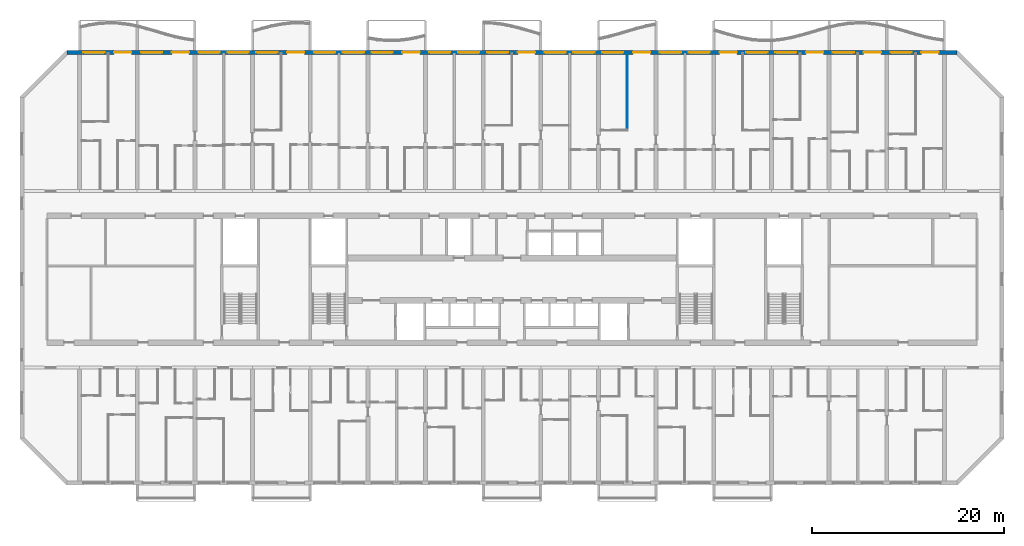
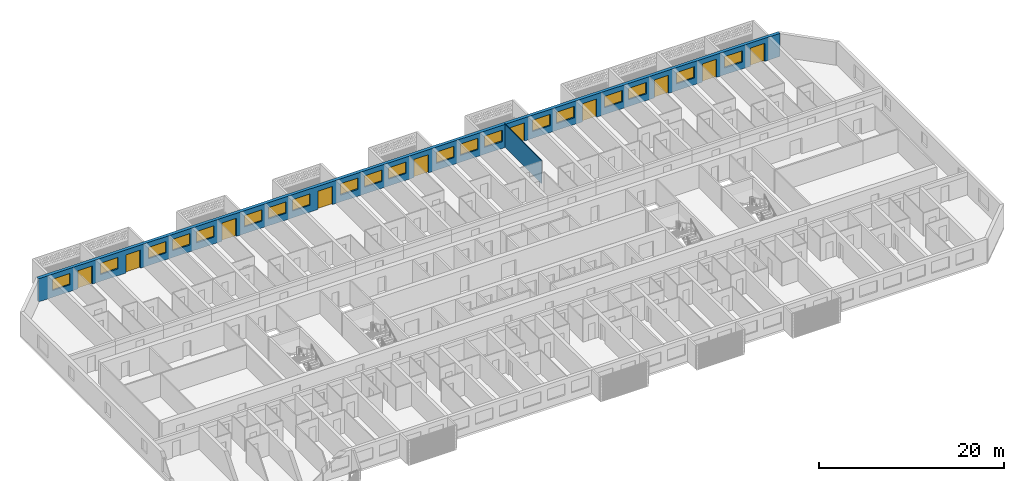
# One storey, part 13 of 40: 20 windows, 10 doors, 2 walls, 30 openings.
"""IFC4 building model written with IfcOpenShell, lengths in metres."""

from ifc_helpers import new_model, si_unit, direction, frame, frame_2d, origin, place, context, subcontext, project, spatial, rectangle, extrude, material, layer, layer_set, type_object, element, fill, save


model = new_model("IFC4")

# Units and contexts
model_context = context("Model", 3, precision=1e-05, world=origin(), true_north=direction((0.0, 1.0)))
body_context = subcontext(model_context, "Body", "Model", "MODEL_VIEW")
ifc_project = project(units=[si_unit("LENGTHUNIT", "METRE"), si_unit("AREAUNIT", "SQUARE_METRE"), si_unit("VOLUMEUNIT", "CUBIC_METRE"), si_unit("PLANEANGLEUNIT", "RADIAN"), si_unit("MASSUNIT", "GRAM", prefix="KILO")], contexts=[model_context])

# Site, building, storey
site_placement = place(None, origin())
site = spatial("IfcSite", under=ifc_project, at=site_placement, CompositionType="ELEMENT")
building_placement = place(site_placement, origin())
building = spatial("IfcBuilding", under=site, at=building_placement, Name="Poui Terraces", CompositionType="ELEMENT")
storey_placement = place(building_placement, frame((0.0, 0.0, 36.60009765625)))
storey = spatial("IfcBuildingStorey", under=building, at=storey_placement, Name="L09", CompositionType="ELEMENT", Elevation=36.60009765625)

# Wall, openings, doors, windows
ifc_material_1 = material(Name="Precast concrete 40 MPa", Category="concrete")
ifc_layer_1 = layer(ifc_material_1, 0.39990234375)
ifc_layer_set_1 = layer_set([ifc_layer_1], Name="Precast concrete 40 MPa")
wall_type_1 = type_object("IfcWallType", Name="EXTERNAL WALL 400", PredefinedType="STANDARD", material=ifc_layer_set_1)
wall_1_placement = place(storey_placement, frame((97.317138671875, 44.800048828125, 0.0), z_axis=(0.0, 0.0, 1.0), x_axis=(-1.0, 0.0, 0.0)))
wall_1 = element("IfcWall", 1, at=wall_1_placement, inside=storey, type_object=wall_type_1, Name="EXTERNAL WALL N", PredefinedType="STANDARD", context=body_context, shape_type="SweptSolid", body=[
    extrude(rectangle(XDim=92.63427734375, YDim=0.39990234375, at=frame_2d((46.317138671875, 0.0))), origin(), (0.0, 0.0, 1.0), 3.0498046875),
])
opening_1_placement = place(wall_1_placement, frame((88.71728515625, 0.0, 0.89990234375)))
opening_1 = element("IfcOpeningElement", 2, at=opening_1_placement, cuts=wall_1, Name="Opening W1", PredefinedType="OPENING", context=body_context, shape_type="SweptSolid", body=[
    extrude(rectangle(XDim=2.199951171875, YDim=1.5, at=frame_2d((1.10009765625, 0.75))), frame((0.0, 0.2099609375, 0.0), z_axis=(0.0, -1.0, 0.0), x_axis=(1.0, 0.0, 0.0)), (0.0, 0.0, 1.0), 0.419921875),
])
opening_2_placement = place(wall_1_placement, frame((85.917236328125, 0.0, 0.0)))
opening_2 = element("IfcOpeningElement", 3, at=opening_2_placement, cuts=wall_1, Name="Opening BD1", PredefinedType="OPENING", context=body_context, shape_type="SweptSolid", body=[
    extrude(rectangle(XDim=1.800048828125, YDim=2.39990234375, at=frame_2d((0.89990234375, 1.199951171875))), frame((0.0, 0.2099609375, 0.0), z_axis=(0.0, -1.0, 0.0), x_axis=(1.0, 0.0, 0.0)), (0.0, 0.0, 1.0), 0.419921875),
])
opening_3_placement = place(wall_1_placement, frame((82.71728515625, 0.0, 0.89990234375)))
opening_3 = element("IfcOpeningElement", 4, at=opening_3_placement, cuts=wall_1, Name="Opening W1", PredefinedType="OPENING", context=body_context, shape_type="SweptSolid", body=[
    extrude(rectangle(XDim=2.199951171875, YDim=1.5, at=frame_2d((1.10009765625, 0.75))), frame((0.0, 0.2099609375, 0.0), z_axis=(0.0, -1.0, 0.0), x_axis=(1.0, 0.0, 0.0)), (0.0, 0.0, 1.0), 0.419921875),
])
opening_4_placement = place(wall_1_placement, frame((79.917236328125, 0.0, 0.0)))
opening_4 = element("IfcOpeningElement", 5, at=opening_4_placement, cuts=wall_1, Name="Opening BD1", PredefinedType="OPENING", context=body_context, shape_type="SweptSolid", body=[
    extrude(rectangle(XDim=1.800048828125, YDim=2.39990234375, at=frame_2d((0.89990234375, 1.199951171875))), frame((0.0, 0.2099609375, 0.0), z_axis=(0.0, -1.0, 0.0), x_axis=(1.0, 0.0, 0.0)), (0.0, 0.0, 1.0), 0.419921875),
])
opening_5_placement = place(wall_1_placement, frame((76.71728515625, 0.0, 0.89990234375)))
opening_5 = element("IfcOpeningElement", 6, at=opening_5_placement, cuts=wall_1, Name="Opening W1", PredefinedType="OPENING", context=body_context, shape_type="SweptSolid", body=[
    extrude(rectangle(XDim=2.199951171875, YDim=1.5, at=frame_2d((1.10009765625, 0.75))), frame((0.0, 0.2099609375, 0.0), z_axis=(0.0, -1.0, 0.0), x_axis=(1.0, 0.0, 0.0)), (0.0, 0.0, 1.0), 0.419921875),
])
opening_6_placement = place(wall_1_placement, frame((73.71728515625, 0.0, 0.89990234375)))
opening_6 = element("IfcOpeningElement", 7, at=opening_6_placement, cuts=wall_1, Name="Opening W1", PredefinedType="OPENING", context=body_context, shape_type="SweptSolid", body=[
    extrude(rectangle(XDim=2.199951171875, YDim=1.5, at=frame_2d((1.10009765625, 0.75))), frame((0.0, 0.2099609375, 0.0), z_axis=(0.0, -1.0, 0.0), x_axis=(1.0, 0.0, 0.0)), (0.0, 0.0, 1.0), 0.419921875),
])
opening_7_placement = place(wall_1_placement, frame((70.71728515625, 0.0, 0.89990234375)))
opening_7 = element("IfcOpeningElement", 8, at=opening_7_placement, cuts=wall_1, Name="Opening W1", PredefinedType="OPENING", context=body_context, shape_type="SweptSolid", body=[
    extrude(rectangle(XDim=2.199951171875, YDim=1.5, at=frame_2d((1.10009765625, 0.75))), frame((0.0, 0.2099609375, 0.0), z_axis=(0.0, -1.0, 0.0), x_axis=(1.0, 0.0, 0.0)), (0.0, 0.0, 1.0), 0.419921875),
])
opening_8_placement = place(wall_1_placement, frame((67.917236328125, 0.0, 0.0)))
opening_8 = element("IfcOpeningElement", 9, at=opening_8_placement, cuts=wall_1, Name="Opening BD1", PredefinedType="OPENING", context=body_context, shape_type="SweptSolid", body=[
    extrude(rectangle(XDim=1.800048828125, YDim=2.39990234375, at=frame_2d((0.89990234375, 1.199951171875))), frame((0.0, 0.2099609375, 0.0), z_axis=(0.0, -1.0, 0.0), x_axis=(1.0, 0.0, 0.0)), (0.0, 0.0, 1.0), 0.419921875),
])
opening_9_placement = place(wall_1_placement, frame((64.71728515625, 0.0, 0.89990234375)))
opening_9 = element("IfcOpeningElement", 10, at=opening_9_placement, cuts=wall_1, Name="Opening W1", PredefinedType="OPENING", context=body_context, shape_type="SweptSolid", body=[
    extrude(rectangle(XDim=2.199951171875, YDim=1.5, at=frame_2d((1.10009765625, 0.75))), frame((0.0, 0.2099609375, 0.0), z_axis=(0.0, -1.0, 0.0), x_axis=(1.0, 0.0, 0.0)), (0.0, 0.0, 1.0), 0.419921875),
])
opening_10_placement = place(wall_1_placement, frame((61.71728515625, 0.0, 0.89990234375)))
opening_10 = element("IfcOpeningElement", 11, at=opening_10_placement, cuts=wall_1, Name="Opening W1", PredefinedType="OPENING", context=body_context, shape_type="SweptSolid", body=[
    extrude(rectangle(XDim=2.199951171875, YDim=1.5, at=frame_2d((1.10009765625, 0.75))), frame((0.0, 0.2099609375, 0.0), z_axis=(0.0, -1.0, 0.0), x_axis=(1.0, 0.0, 0.0)), (0.0, 0.0, 1.0), 0.419921875),
])
opening_11_placement = place(wall_1_placement, frame((58.71728515625, 0.0, 0.89990234375)))
opening_11 = element("IfcOpeningElement", 12, at=opening_11_placement, cuts=wall_1, Name="Opening W1", PredefinedType="OPENING", context=body_context, shape_type="SweptSolid", body=[
    extrude(rectangle(XDim=2.199951171875, YDim=1.5, at=frame_2d((1.10009765625, 0.75))), frame((0.0, 0.2099609375, 0.0), z_axis=(0.0, -1.0, 0.0), x_axis=(1.0, 0.0, 0.0)), (0.0, 0.0, 1.0), 0.419921875),
])
opening_12_placement = place(wall_1_placement, frame((55.917236328125, 0.0, 0.0)))
opening_12 = element("IfcOpeningElement", 13, at=opening_12_placement, cuts=wall_1, Name="Opening BD1", PredefinedType="OPENING", context=body_context, shape_type="SweptSolid", body=[
    extrude(rectangle(XDim=1.800048828125, YDim=2.39990234375, at=frame_2d((0.89990234375, 1.199951171875))), frame((0.0, 0.2099609375, 0.0), z_axis=(0.0, -1.0, 0.0), x_axis=(1.0, 0.0, 0.0)), (0.0, 0.0, 1.0), 0.419921875),
])
opening_13_placement = place(wall_1_placement, frame((52.71728515625, 0.0, 0.89990234375)))
opening_13 = element("IfcOpeningElement", 14, at=opening_13_placement, cuts=wall_1, Name="Opening W1", PredefinedType="OPENING", context=body_context, shape_type="SweptSolid", body=[
    extrude(rectangle(XDim=2.199951171875, YDim=1.5, at=frame_2d((1.10009765625, 0.75))), frame((0.0, 0.2099609375, 0.0), z_axis=(0.0, -1.0, 0.0), x_axis=(1.0, 0.0, 0.0)), (0.0, 0.0, 1.0), 0.419921875),
])
opening_14_placement = place(wall_1_placement, frame((49.71728515625, 0.0, 0.89990234375)))
opening_14 = element("IfcOpeningElement", 15, at=opening_14_placement, cuts=wall_1, Name="Opening W1", PredefinedType="OPENING", context=body_context, shape_type="SweptSolid", body=[
    extrude(rectangle(XDim=2.199951171875, YDim=1.5, at=frame_2d((1.10009765625, 0.75))), frame((0.0, 0.2099609375, 0.0), z_axis=(0.0, -1.0, 0.0), x_axis=(1.0, 0.0, 0.0)), (0.0, 0.0, 1.0), 0.419921875),
])
opening_15_placement = place(wall_1_placement, frame((46.71728515625, 0.0, 0.89990234375)))
opening_15 = element("IfcOpeningElement", 16, at=opening_15_placement, cuts=wall_1, Name="Opening W1", PredefinedType="OPENING", context=body_context, shape_type="SweptSolid", body=[
    extrude(rectangle(XDim=2.199951171875, YDim=1.5, at=frame_2d((1.10009765625, 0.75))), frame((0.0, 0.2099609375, 0.0), z_axis=(0.0, -1.0, 0.0), x_axis=(1.0, 0.0, 0.0)), (0.0, 0.0, 1.0), 0.419921875),
])
opening_16_placement = place(wall_1_placement, frame((43.917236328125, 0.0, 0.0)))
opening_16 = element("IfcOpeningElement", 17, at=opening_16_placement, cuts=wall_1, Name="Opening BD1", PredefinedType="OPENING", context=body_context, shape_type="SweptSolid", body=[
    extrude(rectangle(XDim=1.800048828125, YDim=2.39990234375, at=frame_2d((0.89990234375, 1.199951171875))), frame((0.0, 0.2099609375, 0.0), z_axis=(0.0, -1.0, 0.0), x_axis=(1.0, 0.0, 0.0)), (0.0, 0.0, 1.0), 0.419921875),
])
opening_17_placement = place(wall_1_placement, frame((40.71728515625, 0.0, 0.89990234375)))
opening_17 = element("IfcOpeningElement", 18, at=opening_17_placement, cuts=wall_1, Name="Opening W1", PredefinedType="OPENING", context=body_context, shape_type="SweptSolid", body=[
    extrude(rectangle(XDim=2.199951171875, YDim=1.5, at=frame_2d((1.10009765625, 0.75))), frame((0.0, 0.2099609375, 0.0), z_axis=(0.0, -1.0, 0.0), x_axis=(1.0, 0.0, 0.0)), (0.0, 0.0, 1.0), 0.419921875),
])
opening_18_placement = place(wall_1_placement, frame((37.71728515625, 0.0, 0.89990234375)))
opening_18 = element("IfcOpeningElement", 19, at=opening_18_placement, cuts=wall_1, Name="Opening W1", PredefinedType="OPENING", context=body_context, shape_type="SweptSolid", body=[
    extrude(rectangle(XDim=2.199951171875, YDim=1.5, at=frame_2d((1.10009765625, 0.75))), frame((0.0, 0.2099609375, 0.0), z_axis=(0.0, -1.0, 0.0), x_axis=(1.0, 0.0, 0.0)), (0.0, 0.0, 1.0), 0.419921875),
])
opening_19_placement = place(wall_1_placement, frame((34.71728515625, 0.0, 0.89990234375)))
opening_19 = element("IfcOpeningElement", 20, at=opening_19_placement, cuts=wall_1, Name="Opening W1", PredefinedType="OPENING", context=body_context, shape_type="SweptSolid", body=[
    extrude(rectangle(XDim=2.199951171875, YDim=1.5, at=frame_2d((1.10009765625, 0.75))), frame((0.0, 0.2099609375, 0.0), z_axis=(0.0, -1.0, 0.0), x_axis=(1.0, 0.0, 0.0)), (0.0, 0.0, 1.0), 0.419921875),
])
opening_20_placement = place(wall_1_placement, frame((31.917236328125, 0.0, 0.0)))
opening_20 = element("IfcOpeningElement", 21, at=opening_20_placement, cuts=wall_1, Name="Opening BD1", PredefinedType="OPENING", context=body_context, shape_type="SweptSolid", body=[
    extrude(rectangle(XDim=1.800048828125, YDim=2.39990234375, at=frame_2d((0.89990234375, 1.199951171875))), frame((0.0, 0.2099609375, 0.0), z_axis=(0.0, -1.0, 0.0), x_axis=(1.0, 0.0, 0.0)), (0.0, 0.0, 1.0), 0.419921875),
])
opening_21_placement = place(wall_1_placement, frame((28.71728515625, 0.0, 0.89990234375)))
opening_21 = element("IfcOpeningElement", 22, at=opening_21_placement, cuts=wall_1, Name="Opening W1", PredefinedType="OPENING", context=body_context, shape_type="SweptSolid", body=[
    extrude(rectangle(XDim=2.199951171875, YDim=1.5, at=frame_2d((1.10009765625, 0.75))), frame((0.0, 0.2099609375, 0.0), z_axis=(0.0, -1.0, 0.0), x_axis=(1.0, 0.0, 0.0)), (0.0, 0.0, 1.0), 0.419921875),
])
opening_22_placement = place(wall_1_placement, frame((25.71728515625, 0.0, 0.89990234375)))
opening_22 = element("IfcOpeningElement", 23, at=opening_22_placement, cuts=wall_1, Name="Opening W1", PredefinedType="OPENING", context=body_context, shape_type="SweptSolid", body=[
    extrude(rectangle(XDim=2.199951171875, YDim=1.5, at=frame_2d((1.10009765625, 0.75))), frame((0.0, 0.2099609375, 0.0), z_axis=(0.0, -1.0, 0.0), x_axis=(1.0, 0.0, 0.0)), (0.0, 0.0, 1.0), 0.419921875),
])
opening_23_placement = place(wall_1_placement, frame((22.917236328125, 0.0, 0.0)))
opening_23 = element("IfcOpeningElement", 24, at=opening_23_placement, cuts=wall_1, Name="Opening BD1", PredefinedType="OPENING", context=body_context, shape_type="SweptSolid", body=[
    extrude(rectangle(XDim=1.800048828125, YDim=2.39990234375, at=frame_2d((0.89990234375, 1.199951171875))), frame((0.0, 0.2099609375, 0.0), z_axis=(0.0, -1.0, 0.0), x_axis=(1.0, 0.0, 0.0)), (0.0, 0.0, 1.0), 0.419921875),
])
opening_24_placement = place(wall_1_placement, frame((19.71728515625, 0.0, 0.89990234375)))
opening_24 = element("IfcOpeningElement", 25, at=opening_24_placement, cuts=wall_1, Name="Opening W1", PredefinedType="OPENING", context=body_context, shape_type="SweptSolid", body=[
    extrude(rectangle(XDim=2.199951171875, YDim=1.5, at=frame_2d((1.10009765625, 0.75))), frame((0.0, 0.2099609375, 0.0), z_axis=(0.0, -1.0, 0.0), x_axis=(1.0, 0.0, 0.0)), (0.0, 0.0, 1.0), 0.419921875),
])
opening_25_placement = place(wall_1_placement, frame((16.71728515625, 0.0, 0.89990234375)))
opening_25 = element("IfcOpeningElement", 26, at=opening_25_placement, cuts=wall_1, Name="Opening W1", PredefinedType="OPENING", context=body_context, shape_type="SweptSolid", body=[
    extrude(rectangle(XDim=2.199951171875, YDim=1.5, at=frame_2d((1.10009765625, 0.75))), frame((0.0, 0.2099609375, 0.0), z_axis=(0.0, -1.0, 0.0), x_axis=(1.0, 0.0, 0.0)), (0.0, 0.0, 1.0), 0.419921875),
])
opening_26_placement = place(wall_1_placement, frame((13.917236328125, 0.0, 0.0)))
opening_26 = element("IfcOpeningElement", 27, at=opening_26_placement, cuts=wall_1, Name="Opening BD1", PredefinedType="OPENING", context=body_context, shape_type="SweptSolid", body=[
    extrude(rectangle(XDim=1.800048828125, YDim=2.39990234375, at=frame_2d((0.89990234375, 1.199951171875))), frame((0.0, 0.2099609375, 0.0), z_axis=(0.0, -1.0, 0.0), x_axis=(1.0, 0.0, 0.0)), (0.0, 0.0, 1.0), 0.419921875),
])
opening_27_placement = place(wall_1_placement, frame((10.71728515625, 0.0, 0.89990234375)))
opening_27 = element("IfcOpeningElement", 28, at=opening_27_placement, cuts=wall_1, Name="Opening W1", PredefinedType="OPENING", context=body_context, shape_type="SweptSolid", body=[
    extrude(rectangle(XDim=2.199951171875, YDim=1.5, at=frame_2d((1.10009765625, 0.75))), frame((0.0, 0.2099609375, 0.0), z_axis=(0.0, -1.0, 0.0), x_axis=(1.0, 0.0, 0.0)), (0.0, 0.0, 1.0), 0.419921875),
])
opening_28_placement = place(wall_1_placement, frame((7.917236328125, 0.0, 0.0)))
opening_28 = element("IfcOpeningElement", 29, at=opening_28_placement, cuts=wall_1, Name="Opening BD1", PredefinedType="OPENING", context=body_context, shape_type="SweptSolid", body=[
    extrude(rectangle(XDim=1.800048828125, YDim=2.39990234375, at=frame_2d((0.89990234375, 1.199951171875))), frame((0.0, 0.2099609375, 0.0), z_axis=(0.0, -1.0, 0.0), x_axis=(1.0, 0.0, 0.0)), (0.0, 0.0, 1.0), 0.419921875),
])
opening_29_placement = place(wall_1_placement, frame((4.71728515625, 0.0, 0.89990234375)))
opening_29 = element("IfcOpeningElement", 30, at=opening_29_placement, cuts=wall_1, Name="Opening W1", PredefinedType="OPENING", context=body_context, shape_type="SweptSolid", body=[
    extrude(rectangle(XDim=2.199951171875, YDim=1.5, at=frame_2d((1.10009765625, 0.75))), frame((0.0, 0.2099609375, 0.0), z_axis=(0.0, -1.0, 0.0), x_axis=(1.0, 0.0, 0.0)), (0.0, 0.0, 1.0), 0.419921875),
])
opening_30_placement = place(wall_1_placement, frame((1.917236328125, 0.0, 0.0)))
opening_30 = element("IfcOpeningElement", 31, at=opening_30_placement, cuts=wall_1, Name="Opening BD1", PredefinedType="OPENING", context=body_context, shape_type="SweptSolid", body=[
    extrude(rectangle(XDim=1.800048828125, YDim=2.39990234375, at=frame_2d((0.89990234375, 1.199951171875))), frame((0.0, 0.2099609375, 0.0), z_axis=(0.0, -1.0, 0.0), x_axis=(1.0, 0.0, 0.0)), (0.0, 0.0, 1.0), 0.419921875),
])
ifc_material_2 = material(Name="Clear glass in aluminium frame", Category="aluminium")
door_type = type_object("IfcDoorType", Name="BALCONY DOOR 1800X2400", OperationType="DOUBLE_DOOR_SLIDING", PredefinedType="DOOR", material=ifc_material_2)
door_1_placement = place(opening_2_placement, origin())
door_1 = element("IfcDoor", 32, at=door_1_placement, inside=storey, type_object=door_type, Name="BD1 BALCONY DOOR", OperationType="DOUBLE_DOOR_SLIDING", OverallHeight=2.39990234375, OverallWidth=1.800048828125, PredefinedType="DOOR", context=body_context, shape_type="SweptSolid", body=[
    extrude(rectangle(XDim=1.800048828125, YDim=2.39990234375, at=frame_2d((0.89990234375, 1.199951171875))), frame((0.0, 0.02490234375, 0.0), z_axis=(0.0, -1.0, 0.0), x_axis=(1.0, 0.0, 0.0)), (0.0, 0.0, 1.0), 0.050048828125),
])
fill(opening_2, door_1)
door_2_placement = place(opening_4_placement, origin())
door_2 = element("IfcDoor", 33, at=door_2_placement, inside=storey, type_object=door_type, Name="BD1 BALCONY DOOR", OperationType="DOUBLE_DOOR_SLIDING", OverallHeight=2.39990234375, OverallWidth=1.800048828125, PredefinedType="DOOR", context=body_context, shape_type="SweptSolid", body=[
    extrude(rectangle(XDim=1.800048828125, YDim=2.39990234375, at=frame_2d((0.89990234375, 1.199951171875))), frame((0.0, 0.02490234375, 0.0), z_axis=(0.0, -1.0, 0.0), x_axis=(1.0, 0.0, 0.0)), (0.0, 0.0, 1.0), 0.050048828125),
])
fill(opening_4, door_2)
door_3_placement = place(opening_8_placement, origin())
door_3 = element("IfcDoor", 34, at=door_3_placement, inside=storey, type_object=door_type, Name="BD1 BALCONY DOOR", OperationType="DOUBLE_DOOR_SLIDING", OverallHeight=2.39990234375, OverallWidth=1.800048828125, PredefinedType="DOOR", context=body_context, shape_type="SweptSolid", body=[
    extrude(rectangle(XDim=1.800048828125, YDim=2.39990234375, at=frame_2d((0.89990234375, 1.199951171875))), frame((0.0, 0.02490234375, 0.0), z_axis=(0.0, -1.0, 0.0), x_axis=(1.0, 0.0, 0.0)), (0.0, 0.0, 1.0), 0.050048828125),
])
fill(opening_8, door_3)
door_4_placement = place(opening_12_placement, origin())
door_4 = element("IfcDoor", 35, at=door_4_placement, inside=storey, type_object=door_type, Name="BD1 BALCONY DOOR", OperationType="DOUBLE_DOOR_SLIDING", OverallHeight=2.39990234375, OverallWidth=1.800048828125, PredefinedType="DOOR", context=body_context, shape_type="SweptSolid", body=[
    extrude(rectangle(XDim=1.800048828125, YDim=2.39990234375, at=frame_2d((0.89990234375, 1.199951171875))), frame((0.0, 0.02490234375, 0.0), z_axis=(0.0, -1.0, 0.0), x_axis=(1.0, 0.0, 0.0)), (0.0, 0.0, 1.0), 0.050048828125),
])
fill(opening_12, door_4)
door_5_placement = place(opening_16_placement, origin())
door_5 = element("IfcDoor", 36, at=door_5_placement, inside=storey, type_object=door_type, Name="BD1 BALCONY DOOR", OperationType="DOUBLE_DOOR_SLIDING", OverallHeight=2.39990234375, OverallWidth=1.800048828125, PredefinedType="DOOR", context=body_context, shape_type="SweptSolid", body=[
    extrude(rectangle(XDim=1.800048828125, YDim=2.39990234375, at=frame_2d((0.89990234375, 1.199951171875))), frame((0.0, 0.02490234375, 0.0), z_axis=(0.0, -1.0, 0.0), x_axis=(1.0, 0.0, 0.0)), (0.0, 0.0, 1.0), 0.050048828125),
])
fill(opening_16, door_5)
door_6_placement = place(opening_20_placement, origin())
door_6 = element("IfcDoor", 37, at=door_6_placement, inside=storey, type_object=door_type, Name="BD1 BALCONY DOOR", OperationType="DOUBLE_DOOR_SLIDING", OverallHeight=2.39990234375, OverallWidth=1.800048828125, PredefinedType="DOOR", context=body_context, shape_type="SweptSolid", body=[
    extrude(rectangle(XDim=1.800048828125, YDim=2.39990234375, at=frame_2d((0.89990234375, 1.199951171875))), frame((0.0, 0.02490234375, 0.0), z_axis=(0.0, -1.0, 0.0), x_axis=(1.0, 0.0, 0.0)), (0.0, 0.0, 1.0), 0.050048828125),
])
fill(opening_20, door_6)
door_7_placement = place(opening_23_placement, origin())
door_7 = element("IfcDoor", 38, at=door_7_placement, inside=storey, type_object=door_type, Name="BD1 BALCONY DOOR", OperationType="DOUBLE_DOOR_SLIDING", OverallHeight=2.39990234375, OverallWidth=1.800048828125, PredefinedType="DOOR", context=body_context, shape_type="SweptSolid", body=[
    extrude(rectangle(XDim=1.800048828125, YDim=2.39990234375, at=frame_2d((0.89990234375, 1.199951171875))), frame((0.0, 0.02490234375, 0.0), z_axis=(0.0, -1.0, 0.0), x_axis=(1.0, 0.0, 0.0)), (0.0, 0.0, 1.0), 0.050048828125),
])
fill(opening_23, door_7)
door_8_placement = place(opening_26_placement, origin())
door_8 = element("IfcDoor", 39, at=door_8_placement, inside=storey, type_object=door_type, Name="BD1 BALCONY DOOR", OperationType="DOUBLE_DOOR_SLIDING", OverallHeight=2.39990234375, OverallWidth=1.800048828125, PredefinedType="DOOR", context=body_context, shape_type="SweptSolid", body=[
    extrude(rectangle(XDim=1.800048828125, YDim=2.39990234375, at=frame_2d((0.89990234375, 1.199951171875))), frame((0.0, 0.02490234375, 0.0), z_axis=(0.0, -1.0, 0.0), x_axis=(1.0, 0.0, 0.0)), (0.0, 0.0, 1.0), 0.050048828125),
])
fill(opening_26, door_8)
door_9_placement = place(opening_28_placement, origin())
door_9 = element("IfcDoor", 40, at=door_9_placement, inside=storey, type_object=door_type, Name="BD1 BALCONY DOOR", OperationType="DOUBLE_DOOR_SLIDING", OverallHeight=2.39990234375, OverallWidth=1.800048828125, PredefinedType="DOOR", context=body_context, shape_type="SweptSolid", body=[
    extrude(rectangle(XDim=1.800048828125, YDim=2.39990234375, at=frame_2d((0.89990234375, 1.199951171875))), frame((0.0, 0.02490234375, 0.0), z_axis=(0.0, -1.0, 0.0), x_axis=(1.0, 0.0, 0.0)), (0.0, 0.0, 1.0), 0.050048828125),
])
fill(opening_28, door_9)
door_10_placement = place(opening_30_placement, origin())
door_10 = element("IfcDoor", 41, at=door_10_placement, inside=storey, type_object=door_type, Name="BD1 BALCONY DOOR", OperationType="DOUBLE_DOOR_SLIDING", OverallHeight=2.39990234375, OverallWidth=1.800048828125, PredefinedType="DOOR", context=body_context, shape_type="SweptSolid", body=[
    extrude(rectangle(XDim=1.800048828125, YDim=2.39990234375, at=frame_2d((0.89990234375, 1.199951171875))), frame((0.0, 0.02490234375, 0.0), z_axis=(0.0, -1.0, 0.0), x_axis=(1.0, 0.0, 0.0)), (0.0, 0.0, 1.0), 0.050048828125),
])
fill(opening_30, door_10)
window_type = type_object("IfcWindowType", Name="WINDOW 2200X1500", PartitioningType="DOUBLE_PANEL_HORIZONTAL", PredefinedType="WINDOW", material=ifc_material_2)
window_1_placement = place(opening_1_placement, origin())
window_1 = element("IfcWindow", 42, at=window_1_placement, inside=storey, type_object=window_type, Name="W1 WINDOW", OverallHeight=1.5, OverallWidth=2.199951171875, PartitioningType="DOUBLE_PANEL_HORIZONTAL", PredefinedType="WINDOW", context=body_context, shape_type="SweptSolid", body=[
    extrude(rectangle(XDim=2.199951171875, YDim=1.5, at=frame_2d((1.10009765625, 0.75))), frame((0.0, 0.030029296875, 0.0), z_axis=(0.0, -1.0, 0.0), x_axis=(1.0, 0.0, 0.0)), (0.0, 0.0, 1.0), 0.06005859375),
])
fill(opening_1, window_1)
window_2_placement = place(opening_3_placement, origin())
window_2 = element("IfcWindow", 43, at=window_2_placement, inside=storey, type_object=window_type, Name="W1 WINDOW", OverallHeight=1.5, OverallWidth=2.199951171875, PartitioningType="DOUBLE_PANEL_HORIZONTAL", PredefinedType="WINDOW", context=body_context, shape_type="SweptSolid", body=[
    extrude(rectangle(XDim=2.199951171875, YDim=1.5, at=frame_2d((1.10009765625, 0.75))), frame((0.0, 0.030029296875, 0.0), z_axis=(0.0, -1.0, 0.0), x_axis=(1.0, 0.0, 0.0)), (0.0, 0.0, 1.0), 0.06005859375),
])
fill(opening_3, window_2)
window_3_placement = place(opening_5_placement, origin())
window_3 = element("IfcWindow", 44, at=window_3_placement, inside=storey, type_object=window_type, Name="W1 WINDOW", OverallHeight=1.5, OverallWidth=2.199951171875, PartitioningType="DOUBLE_PANEL_HORIZONTAL", PredefinedType="WINDOW", context=body_context, shape_type="SweptSolid", body=[
    extrude(rectangle(XDim=2.199951171875, YDim=1.5, at=frame_2d((1.10009765625, 0.75))), frame((0.0, 0.030029296875, 0.0), z_axis=(0.0, -1.0, 0.0), x_axis=(1.0, 0.0, 0.0)), (0.0, 0.0, 1.0), 0.06005859375),
])
fill(opening_5, window_3)
window_4_placement = place(opening_6_placement, origin())
window_4 = element("IfcWindow", 45, at=window_4_placement, inside=storey, type_object=window_type, Name="W1 WINDOW", OverallHeight=1.5, OverallWidth=2.199951171875, PartitioningType="DOUBLE_PANEL_HORIZONTAL", PredefinedType="WINDOW", context=body_context, shape_type="SweptSolid", body=[
    extrude(rectangle(XDim=2.199951171875, YDim=1.5, at=frame_2d((1.10009765625, 0.75))), frame((0.0, 0.030029296875, 0.0), z_axis=(0.0, -1.0, 0.0), x_axis=(1.0, 0.0, 0.0)), (0.0, 0.0, 1.0), 0.06005859375),
])
fill(opening_6, window_4)
window_5_placement = place(opening_7_placement, origin())
window_5 = element("IfcWindow", 46, at=window_5_placement, inside=storey, type_object=window_type, Name="W1 WINDOW", OverallHeight=1.5, OverallWidth=2.199951171875, PartitioningType="DOUBLE_PANEL_HORIZONTAL", PredefinedType="WINDOW", context=body_context, shape_type="SweptSolid", body=[
    extrude(rectangle(XDim=2.199951171875, YDim=1.5, at=frame_2d((1.10009765625, 0.75))), frame((0.0, 0.030029296875, 0.0), z_axis=(0.0, -1.0, 0.0), x_axis=(1.0, 0.0, 0.0)), (0.0, 0.0, 1.0), 0.06005859375),
])
fill(opening_7, window_5)
window_6_placement = place(opening_9_placement, origin())
window_6 = element("IfcWindow", 47, at=window_6_placement, inside=storey, type_object=window_type, Name="W1 WINDOW", OverallHeight=1.5, OverallWidth=2.199951171875, PartitioningType="DOUBLE_PANEL_HORIZONTAL", PredefinedType="WINDOW", context=body_context, shape_type="SweptSolid", body=[
    extrude(rectangle(XDim=2.199951171875, YDim=1.5, at=frame_2d((1.10009765625, 0.75))), frame((0.0, 0.030029296875, 0.0), z_axis=(0.0, -1.0, 0.0), x_axis=(1.0, 0.0, 0.0)), (0.0, 0.0, 1.0), 0.06005859375),
])
fill(opening_9, window_6)
window_7_placement = place(opening_10_placement, origin())
window_7 = element("IfcWindow", 48, at=window_7_placement, inside=storey, type_object=window_type, Name="W1 WINDOW", OverallHeight=1.5, OverallWidth=2.199951171875, PartitioningType="DOUBLE_PANEL_HORIZONTAL", PredefinedType="WINDOW", context=body_context, shape_type="SweptSolid", body=[
    extrude(rectangle(XDim=2.199951171875, YDim=1.5, at=frame_2d((1.10009765625, 0.75))), frame((0.0, 0.030029296875, 0.0), z_axis=(0.0, -1.0, 0.0), x_axis=(1.0, 0.0, 0.0)), (0.0, 0.0, 1.0), 0.06005859375),
])
fill(opening_10, window_7)
window_8_placement = place(opening_11_placement, origin())
window_8 = element("IfcWindow", 49, at=window_8_placement, inside=storey, type_object=window_type, Name="W1 WINDOW", OverallHeight=1.5, OverallWidth=2.199951171875, PartitioningType="DOUBLE_PANEL_HORIZONTAL", PredefinedType="WINDOW", context=body_context, shape_type="SweptSolid", body=[
    extrude(rectangle(XDim=2.199951171875, YDim=1.5, at=frame_2d((1.10009765625, 0.75))), frame((0.0, 0.030029296875, 0.0), z_axis=(0.0, -1.0, 0.0), x_axis=(1.0, 0.0, 0.0)), (0.0, 0.0, 1.0), 0.06005859375),
])
fill(opening_11, window_8)
window_9_placement = place(opening_13_placement, origin())
window_9 = element("IfcWindow", 50, at=window_9_placement, inside=storey, type_object=window_type, Name="W1 WINDOW", OverallHeight=1.5, OverallWidth=2.199951171875, PartitioningType="DOUBLE_PANEL_HORIZONTAL", PredefinedType="WINDOW", context=body_context, shape_type="SweptSolid", body=[
    extrude(rectangle(XDim=2.199951171875, YDim=1.5, at=frame_2d((1.10009765625, 0.75))), frame((0.0, 0.030029296875, 0.0), z_axis=(0.0, -1.0, 0.0), x_axis=(1.0, 0.0, 0.0)), (0.0, 0.0, 1.0), 0.06005859375),
])
fill(opening_13, window_9)
window_10_placement = place(opening_14_placement, origin())
window_10 = element("IfcWindow", 51, at=window_10_placement, inside=storey, type_object=window_type, Name="W1 WINDOW", OverallHeight=1.5, OverallWidth=2.199951171875, PartitioningType="DOUBLE_PANEL_HORIZONTAL", PredefinedType="WINDOW", context=body_context, shape_type="SweptSolid", body=[
    extrude(rectangle(XDim=2.199951171875, YDim=1.5, at=frame_2d((1.10009765625, 0.75))), frame((0.0, 0.030029296875, 0.0), z_axis=(0.0, -1.0, 0.0), x_axis=(1.0, 0.0, 0.0)), (0.0, 0.0, 1.0), 0.06005859375),
])
fill(opening_14, window_10)
window_11_placement = place(opening_15_placement, origin())
window_11 = element("IfcWindow", 52, at=window_11_placement, inside=storey, type_object=window_type, Name="W1 WINDOW", OverallHeight=1.5, OverallWidth=2.199951171875, PartitioningType="DOUBLE_PANEL_HORIZONTAL", PredefinedType="WINDOW", context=body_context, shape_type="SweptSolid", body=[
    extrude(rectangle(XDim=2.199951171875, YDim=1.5, at=frame_2d((1.10009765625, 0.75))), frame((0.0, 0.030029296875, 0.0), z_axis=(0.0, -1.0, 0.0), x_axis=(1.0, 0.0, 0.0)), (0.0, 0.0, 1.0), 0.06005859375),
])
fill(opening_15, window_11)
window_12_placement = place(opening_17_placement, origin())
window_12 = element("IfcWindow", 53, at=window_12_placement, inside=storey, type_object=window_type, Name="W1 WINDOW", OverallHeight=1.5, OverallWidth=2.199951171875, PartitioningType="DOUBLE_PANEL_HORIZONTAL", PredefinedType="WINDOW", context=body_context, shape_type="SweptSolid", body=[
    extrude(rectangle(XDim=2.199951171875, YDim=1.5, at=frame_2d((1.10009765625, 0.75))), frame((0.0, 0.030029296875, 0.0), z_axis=(0.0, -1.0, 0.0), x_axis=(1.0, 0.0, 0.0)), (0.0, 0.0, 1.0), 0.06005859375),
])
fill(opening_17, window_12)
window_13_placement = place(opening_18_placement, origin())
window_13 = element("IfcWindow", 54, at=window_13_placement, inside=storey, type_object=window_type, Name="W1 WINDOW", OverallHeight=1.5, OverallWidth=2.199951171875, PartitioningType="DOUBLE_PANEL_HORIZONTAL", PredefinedType="WINDOW", context=body_context, shape_type="SweptSolid", body=[
    extrude(rectangle(XDim=2.199951171875, YDim=1.5, at=frame_2d((1.10009765625, 0.75))), frame((0.0, 0.030029296875, 0.0), z_axis=(0.0, -1.0, 0.0), x_axis=(1.0, 0.0, 0.0)), (0.0, 0.0, 1.0), 0.06005859375),
])
fill(opening_18, window_13)
window_14_placement = place(opening_19_placement, origin())
window_14 = element("IfcWindow", 55, at=window_14_placement, inside=storey, type_object=window_type, Name="W1 WINDOW", OverallHeight=1.5, OverallWidth=2.199951171875, PartitioningType="DOUBLE_PANEL_HORIZONTAL", PredefinedType="WINDOW", context=body_context, shape_type="SweptSolid", body=[
    extrude(rectangle(XDim=2.199951171875, YDim=1.5, at=frame_2d((1.10009765625, 0.75))), frame((0.0, 0.030029296875, 0.0), z_axis=(0.0, -1.0, 0.0), x_axis=(1.0, 0.0, 0.0)), (0.0, 0.0, 1.0), 0.06005859375),
])
fill(opening_19, window_14)
window_15_placement = place(opening_21_placement, origin())
window_15 = element("IfcWindow", 56, at=window_15_placement, inside=storey, type_object=window_type, Name="W1 WINDOW", OverallHeight=1.5, OverallWidth=2.199951171875, PartitioningType="DOUBLE_PANEL_HORIZONTAL", PredefinedType="WINDOW", context=body_context, shape_type="SweptSolid", body=[
    extrude(rectangle(XDim=2.199951171875, YDim=1.5, at=frame_2d((1.10009765625, 0.75))), frame((0.0, 0.030029296875, 0.0), z_axis=(0.0, -1.0, 0.0), x_axis=(1.0, 0.0, 0.0)), (0.0, 0.0, 1.0), 0.06005859375),
])
fill(opening_21, window_15)
window_16_placement = place(opening_22_placement, origin())
window_16 = element("IfcWindow", 57, at=window_16_placement, inside=storey, type_object=window_type, Name="W1 WINDOW", OverallHeight=1.5, OverallWidth=2.199951171875, PartitioningType="DOUBLE_PANEL_HORIZONTAL", PredefinedType="WINDOW", context=body_context, shape_type="SweptSolid", body=[
    extrude(rectangle(XDim=2.199951171875, YDim=1.5, at=frame_2d((1.10009765625, 0.75))), frame((0.0, 0.030029296875, 0.0), z_axis=(0.0, -1.0, 0.0), x_axis=(1.0, 0.0, 0.0)), (0.0, 0.0, 1.0), 0.06005859375),
])
fill(opening_22, window_16)
window_17_placement = place(opening_24_placement, origin())
window_17 = element("IfcWindow", 58, at=window_17_placement, inside=storey, type_object=window_type, Name="W1 WINDOW", OverallHeight=1.5, OverallWidth=2.199951171875, PartitioningType="DOUBLE_PANEL_HORIZONTAL", PredefinedType="WINDOW", context=body_context, shape_type="SweptSolid", body=[
    extrude(rectangle(XDim=2.199951171875, YDim=1.5, at=frame_2d((1.10009765625, 0.75))), frame((0.0, 0.030029296875, 0.0), z_axis=(0.0, -1.0, 0.0), x_axis=(1.0, 0.0, 0.0)), (0.0, 0.0, 1.0), 0.06005859375),
])
fill(opening_24, window_17)
window_18_placement = place(opening_25_placement, origin())
window_18 = element("IfcWindow", 59, at=window_18_placement, inside=storey, type_object=window_type, Name="W1 WINDOW", OverallHeight=1.5, OverallWidth=2.199951171875, PartitioningType="DOUBLE_PANEL_HORIZONTAL", PredefinedType="WINDOW", context=body_context, shape_type="SweptSolid", body=[
    extrude(rectangle(XDim=2.199951171875, YDim=1.5, at=frame_2d((1.10009765625, 0.75))), frame((0.0, 0.030029296875, 0.0), z_axis=(0.0, -1.0, 0.0), x_axis=(1.0, 0.0, 0.0)), (0.0, 0.0, 1.0), 0.06005859375),
])
fill(opening_25, window_18)
window_19_placement = place(opening_27_placement, origin())
window_19 = element("IfcWindow", 60, at=window_19_placement, inside=storey, type_object=window_type, Name="W1 WINDOW", OverallHeight=1.5, OverallWidth=2.199951171875, PartitioningType="DOUBLE_PANEL_HORIZONTAL", PredefinedType="WINDOW", context=body_context, shape_type="SweptSolid", body=[
    extrude(rectangle(XDim=2.199951171875, YDim=1.5, at=frame_2d((1.10009765625, 0.75))), frame((0.0, 0.030029296875, 0.0), z_axis=(0.0, -1.0, 0.0), x_axis=(1.0, 0.0, 0.0)), (0.0, 0.0, 1.0), 0.06005859375),
])
fill(opening_27, window_19)
window_20_placement = place(opening_29_placement, origin())
window_20 = element("IfcWindow", 61, at=window_20_placement, inside=storey, type_object=window_type, Name="W1 WINDOW", OverallHeight=1.5, OverallWidth=2.199951171875, PartitioningType="DOUBLE_PANEL_HORIZONTAL", PredefinedType="WINDOW", context=body_context, shape_type="SweptSolid", body=[
    extrude(rectangle(XDim=2.199951171875, YDim=1.5, at=frame_2d((1.10009765625, 0.75))), frame((0.0, 0.030029296875, 0.0), z_axis=(0.0, -1.0, 0.0), x_axis=(1.0, 0.0, 0.0)), (0.0, 0.0, 1.0), 0.06005859375),
])
fill(opening_29, window_20)

# Wall
ifc_material_3 = material(Name="Plasterboard partition")
ifc_layer_2 = layer(ifc_material_3, 0.10009765625)
ifc_layer_set_2 = layer_set([ifc_layer_2], Name="Plasterboard partition")
wall_type_2 = type_object("IfcWallType", Name="FLAT PARTITION 100", PredefinedType="PARTITIONING", material=ifc_layer_set_2)
wall_2_placement = place(storey_placement, frame((63.0, 36.75, 0.0), z_axis=(0.0, 0.0, 1.0), x_axis=(0.0, 1.0, 0.0)))
element("IfcWall", 62, at=wall_2_placement, inside=storey, type_object=wall_type_2, Name="FLAT PARTITION 100", PredefinedType="PARTITIONING", context=body_context, shape_type="SweptSolid", body=[
    extrude(rectangle(XDim=7.989990234375, YDim=0.10009765625, at=frame_2d((3.9951171875, 0.0))), origin(), (0.0, 0.0, 1.0), 3.0498046875),
])

save(model, "model.ifc")
